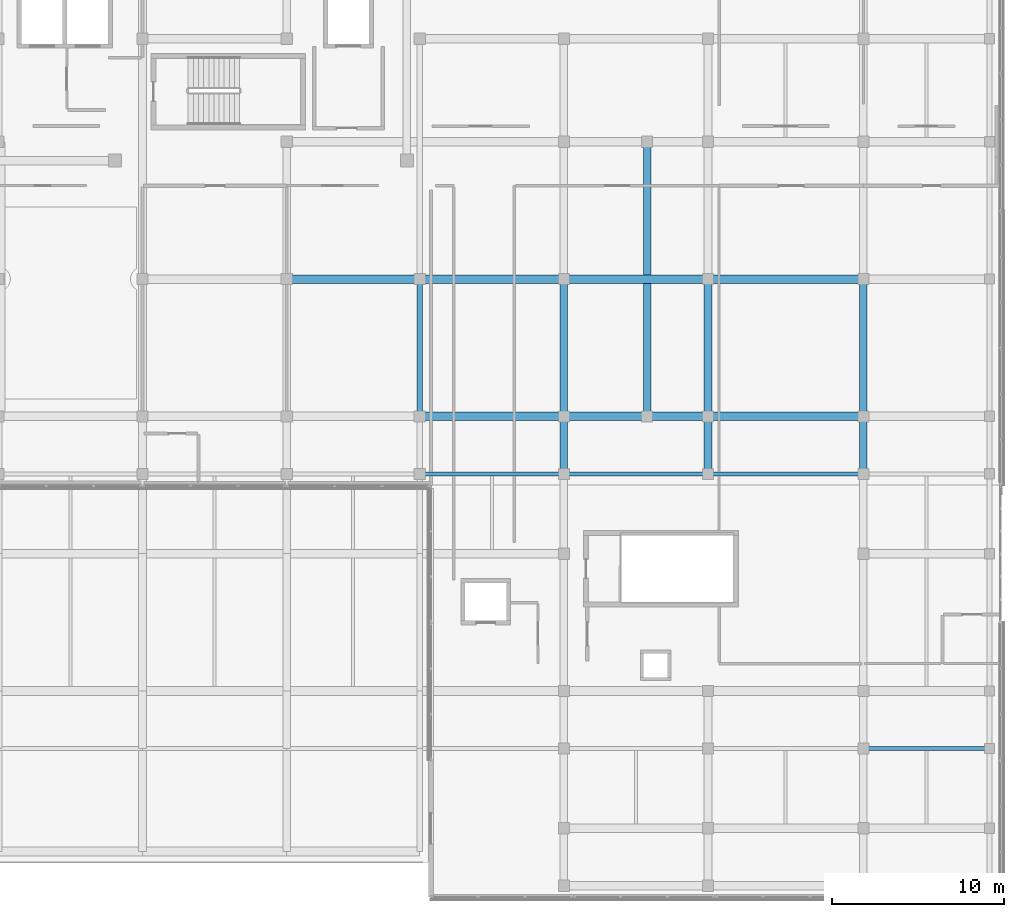
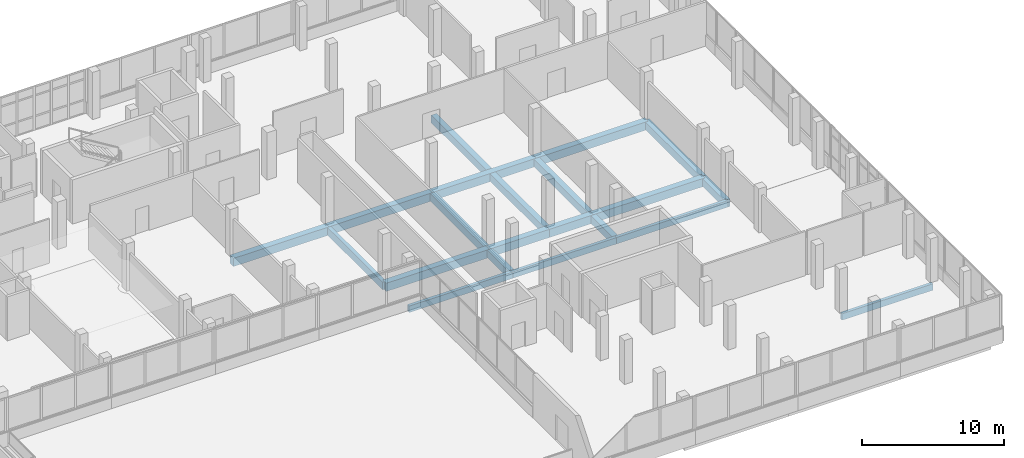
# One storey, part 48 of 78: 20 beams.
"""IFC4 building model written with IfcOpenShell, lengths in metres."""

from ifc_helpers import new_model, si_unit, direction, frame, origin, origin_2d, place, context, subcontext, project, spatial, rectangle, extrude, material, material_profile, profile_set, type_object, element, save


model = new_model("IFC4")

# Units and contexts
model_context = context("Model", 3, precision=1e-05, world=origin(), true_north=direction((0.0, 1.0)))
body_context = subcontext(model_context, "Body", "Model", "MODEL_VIEW")
ifc_project = project(units=[si_unit("LENGTHUNIT", "METRE"), si_unit("AREAUNIT", "SQUARE_METRE"), si_unit("VOLUMEUNIT", "CUBIC_METRE"), si_unit("PLANEANGLEUNIT", "RADIAN"), si_unit("MASSUNIT", "GRAM", prefix="KILO")], contexts=[model_context])

# Site, building, storey
site_placement = place(None, origin())
site = spatial("IfcSite", under=ifc_project, at=site_placement, CompositionType="ELEMENT")
building_placement = place(site_placement, origin())
building = spatial("IfcBuilding", under=site, at=building_placement, Name="Selatvlak General Hospital", CompositionType="ELEMENT")
storey_placement = place(building_placement, frame((0.0, 0.0, 23.25)))
storey = spatial("IfcBuildingStorey", under=building, at=storey_placement, Name="L05", CompositionType="ELEMENT", Elevation=23.25)

# Beams
ifc_material = material(Name="Concrete C40/50", Category="concrete")
ifc_material_profile_1 = material_profile(ifc_material, rectangle(XDim=0.5, YDim=0.699951171875, at=origin_2d()), Name="RC-BM 500x700")
ifc_profile_set_1 = profile_set([ifc_material_profile_1], Name="Concrete C40/50")
beam_type_1 = type_object("IfcBeamType", Name="BM-G03", PredefinedType="BEAM", material=ifc_profile_set_1)
beam_1_placement = place(storey_placement, frame((148.14990234375, 92.0, -0.6298828125), z_axis=(1.0, 0.0, 0.0), x_axis=(0.0, 1.0, 0.0)))
element("IfcBeam", 1, at=beam_1_placement, inside=storey, type_object=beam_type_1, Name="Beam BMR-L05-1917", PredefinedType="BEAM", context=body_context, shape_type="SweptSolid", body=[
    extrude(rectangle(XDim=0.5, YDim=0.699951171875, at=origin_2d()), origin(), (0.0, 0.0, 1.0), 8.400146484375),
])
beam_2_placement = place(storey_placement, frame((156.550048828125, 92.0, -0.6298828125), z_axis=(1.0, 0.0, 0.0), x_axis=(0.0, 1.0, 0.0)))
element("IfcBeam", 2, at=beam_2_placement, inside=storey, type_object=beam_type_1, Name="Beam BMR-L05-1918", PredefinedType="BEAM", context=body_context, shape_type="SweptSolid", body=[
    extrude(rectangle(XDim=0.5, YDim=0.699951171875, at=origin_2d()), origin(), (0.0, 0.0, 1.0), 4.849853515625),
])
beam_3_placement = place(storey_placement, frame((161.39990234375, 92.0, -0.6298828125), z_axis=(1.0, 0.0, 0.0), x_axis=(0.0, 1.0, 0.0)))
element("IfcBeam", 3, at=beam_3_placement, inside=storey, type_object=beam_type_1, Name="Beam BMR-L05-1919", PredefinedType="BEAM", context=body_context, shape_type="SweptSolid", body=[
    extrude(rectangle(XDim=0.5, YDim=0.699951171875, at=origin_2d()), origin(), (0.0, 0.0, 1.0), 3.550048828125),
])
beam_4_placement = place(storey_placement, frame((164.949951171875, 92.0, -0.6298828125), z_axis=(1.0, 0.0, 0.0), x_axis=(0.0, 1.0, 0.0)))
element("IfcBeam", 4, at=beam_4_placement, inside=storey, type_object=beam_type_1, Name="Beam BMR-L05-1920", PredefinedType="BEAM", context=body_context, shape_type="SweptSolid", body=[
    extrude(rectangle(XDim=0.5, YDim=0.699951171875, at=origin_2d()), origin(), (0.0, 0.0, 1.0), 9.050048828125),
])
beam_5_placement = place(storey_placement, frame((140.39990234375, 100.0, -0.6298828125), z_axis=(1.0, 0.0, 0.0), x_axis=(0.0, 1.0, 0.0)))
element("IfcBeam", 5, at=beam_5_placement, inside=storey, type_object=beam_type_1, Name="Beam BMR-L05-1936", PredefinedType="BEAM", context=body_context, shape_type="SweptSolid", body=[
    extrude(rectangle(XDim=0.5, YDim=0.699951171875, at=origin_2d()), origin(), (0.0, 0.0, 1.0), 7.75),
])
beam_6_placement = place(storey_placement, frame((148.14990234375, 100.0, -0.6298828125), z_axis=(1.0, 0.0, 0.0), x_axis=(0.0, 1.0, 0.0)))
element("IfcBeam", 6, at=beam_6_placement, inside=storey, type_object=beam_type_1, Name="Beam BMR-L05-1937", PredefinedType="BEAM", context=body_context, shape_type="SweptSolid", body=[
    extrude(rectangle(XDim=0.5, YDim=0.699951171875, at=origin_2d()), origin(), (0.0, 0.0, 1.0), 8.400146484375),
])
beam_7_placement = place(storey_placement, frame((156.550048828125, 100.0, -0.6298828125), z_axis=(1.0, 0.0, 0.0), x_axis=(0.0, 1.0, 0.0)))
element("IfcBeam", 7, at=beam_7_placement, inside=storey, type_object=beam_type_1, Name="Beam BMR-L05-1938", PredefinedType="BEAM", context=body_context, shape_type="SweptSolid", body=[
    extrude(rectangle(XDim=0.5, YDim=0.699951171875, at=origin_2d()), origin(), (0.0, 0.0, 1.0), 8.39990234375),
])
beam_8_placement = place(storey_placement, frame((164.949951171875, 100.0, -0.6298828125), z_axis=(1.0, 0.0, 0.0), x_axis=(0.0, 1.0, 0.0)))
element("IfcBeam", 8, at=beam_8_placement, inside=storey, type_object=beam_type_1, Name="Beam BMR-L05-1939", PredefinedType="BEAM", context=body_context, shape_type="SweptSolid", body=[
    extrude(rectangle(XDim=0.5, YDim=0.699951171875, at=origin_2d()), origin(), (0.0, 0.0, 1.0), 9.050048828125),
])
ifc_material_profile_2 = material_profile(ifc_material, rectangle(XDim=0.449951171875, YDim=0.64990234375, at=origin_2d()), Name="RC-BM 450x650")
ifc_profile_set_2 = profile_set([ifc_material_profile_2], Name="Concrete C40/50")
beam_type_2 = type_object("IfcBeamType", Name="BM-G04", PredefinedType="BEAM", material=ifc_profile_set_2)
beam_9_placement = place(storey_placement, frame((156.550048828125, 88.64990234375, -0.60498046875), z_axis=(0.0, 1.0, 0.0), x_axis=(-1.0, 0.0, 0.0)))
element("IfcBeam", 9, at=beam_9_placement, inside=storey, type_object=beam_type_2, Name="Beam BMR-L05-2083", PredefinedType="BEAM", context=body_context, shape_type="SweptSolid", body=[
    extrude(rectangle(XDim=0.449951171875, YDim=0.64990234375, at=origin_2d()), origin(), (0.0, 0.0, 1.0), 3.35009765625),
])
beam_10_placement = place(storey_placement, frame((156.550048828125, 92.0, -0.60498046875), z_axis=(0.0, 1.0, 0.0), x_axis=(-1.0, 0.0, 0.0)))
element("IfcBeam", 10, at=beam_10_placement, inside=storey, type_object=beam_type_2, Name="Beam BMR-L05-2084", PredefinedType="BEAM", context=body_context, shape_type="SweptSolid", body=[
    extrude(rectangle(XDim=0.449951171875, YDim=0.64990234375, at=origin_2d()), origin(), (0.0, 0.0, 1.0), 8.0),
])
beam_11_placement = place(storey_placement, frame((161.39990234375, 92.0, -0.60498046875), z_axis=(0.0, 1.0, 0.0), x_axis=(-1.0, 0.0, 0.0)))
element("IfcBeam", 11, at=beam_11_placement, inside=storey, type_object=beam_type_2, Name="Beam BMR-L05-2087", PredefinedType="BEAM", context=body_context, shape_type="SweptSolid", body=[
    extrude(rectangle(XDim=0.449951171875, YDim=0.64990234375, at=origin_2d()), origin(), (0.0, 0.0, 1.0), 16.0),
])
beam_12_placement = place(storey_placement, frame((164.949951171875, 88.64990234375, -0.60498046875), z_axis=(0.0, 1.0, 0.0), x_axis=(-1.0, 0.0, 0.0)))
element("IfcBeam", 12, at=beam_12_placement, inside=storey, type_object=beam_type_2, Name="Beam BMR-L05-2091", PredefinedType="BEAM", context=body_context, shape_type="SweptSolid", body=[
    extrude(rectangle(XDim=0.449951171875, YDim=0.64990234375, at=origin_2d()), origin(), (0.0, 0.0, 1.0), 3.35009765625),
])
beam_13_placement = place(storey_placement, frame((164.949951171875, 92.0, -0.60498046875), z_axis=(0.0, 1.0, 0.0), x_axis=(-1.0, 0.0, 0.0)))
element("IfcBeam", 13, at=beam_13_placement, inside=storey, type_object=beam_type_2, Name="Beam BMR-L05-2092", PredefinedType="BEAM", context=body_context, shape_type="SweptSolid", body=[
    extrude(rectangle(XDim=0.449951171875, YDim=0.64990234375, at=origin_2d()), origin(), (0.0, 0.0, 1.0), 8.0),
])
beam_14_placement = place(storey_placement, frame((174.0, 88.64990234375, -0.60498046875), z_axis=(0.0, 1.0, 0.0), x_axis=(-1.0, 0.0, 0.0)))
element("IfcBeam", 14, at=beam_14_placement, inside=storey, type_object=beam_type_2, Name="Beam BMR-L05-2100", PredefinedType="BEAM", context=body_context, shape_type="SweptSolid", body=[
    extrude(rectangle(XDim=0.449951171875, YDim=0.64990234375, at=origin_2d()), origin(), (0.0, 0.0, 1.0), 3.35009765625),
])
beam_15_placement = place(storey_placement, frame((174.0, 92.0, -0.60498046875), z_axis=(0.0, 1.0, 0.0), x_axis=(-1.0, 0.0, 0.0)))
element("IfcBeam", 15, at=beam_15_placement, inside=storey, type_object=beam_type_2, Name="Beam BMR-L05-2101", PredefinedType="BEAM", context=body_context, shape_type="SweptSolid", body=[
    extrude(rectangle(XDim=0.449951171875, YDim=0.64990234375, at=origin_2d()), origin(), (0.0, 0.0, 1.0), 8.0),
])
ifc_material_profile_3 = material_profile(ifc_material, rectangle(XDim=0.300048828125, YDim=0.64990234375, at=origin_2d()), Name="RC-SP 300x650")
ifc_profile_set_3 = profile_set([ifc_material_profile_3], Name="Concrete C40/50")
beam_type_3 = type_object("IfcBeamType", Name="BM-SP1", PredefinedType="SPANDREL", material=ifc_profile_set_3)
beam_16_placement = place(storey_placement, frame((148.14990234375, 92.0, -0.60498046875), z_axis=(0.0, 1.0, 0.0), x_axis=(-1.0, 0.0, 0.0)))
element("IfcBeam", 16, at=beam_16_placement, inside=storey, type_object=beam_type_3, Name="Beam BMR-L05-2076", PredefinedType="SPANDREL", context=body_context, shape_type="SweptSolid", body=[
    extrude(rectangle(XDim=0.300048828125, YDim=0.64990234375, at=origin_2d()), origin(), (0.0, 0.0, 1.0), 8.0),
])
ifc_material_profile_4 = material_profile(ifc_material, rectangle(XDim=0.25, YDim=0.550048828125, at=origin_2d()), Name="RC-SP 250x550")
ifc_profile_set_4 = profile_set([ifc_material_profile_4], Name="Concrete C40/50")
beam_type_4 = type_object("IfcBeamType", Name="BM-SP2", PredefinedType="SPANDREL", material=ifc_profile_set_4)
beam_17_placement = place(storey_placement, frame((174.0, 72.64990234375, -0.554931640625), z_axis=(1.0, 0.0, 0.0), x_axis=(0.0, 1.0, 0.0)))
element("IfcBeam", 17, at=beam_17_placement, inside=storey, type_object=beam_type_4, Name="Beam BMR-L05-1870", PredefinedType="SPANDREL", context=body_context, shape_type="SweptSolid", body=[
    extrude(rectangle(XDim=0.25, YDim=0.550048828125, at=origin_2d()), origin(), (0.0, 0.0, 1.0), 7.35009765625),
])
beam_18_placement = place(storey_placement, frame((148.14990234375, 88.64990234375, -0.554931640625), z_axis=(1.0, 0.0, 0.0), x_axis=(0.0, 1.0, 0.0)))
element("IfcBeam", 18, at=beam_18_placement, inside=storey, type_object=beam_type_4, Name="Beam BMR-L05-1897", PredefinedType="SPANDREL", context=body_context, shape_type="SweptSolid", body=[
    extrude(rectangle(XDim=0.25, YDim=0.550048828125, at=origin_2d()), origin(), (0.0, 0.0, 1.0), 8.400146484375),
])
beam_19_placement = place(storey_placement, frame((156.550048828125, 88.64990234375, -0.554931640625), z_axis=(1.0, 0.0, 0.0), x_axis=(0.0, 1.0, 0.0)))
element("IfcBeam", 19, at=beam_19_placement, inside=storey, type_object=beam_type_4, Name="Beam BMR-L05-1898", PredefinedType="SPANDREL", context=body_context, shape_type="SweptSolid", body=[
    extrude(rectangle(XDim=0.25, YDim=0.550048828125, at=origin_2d()), origin(), (0.0, 0.0, 1.0), 8.39990234375),
])
beam_20_placement = place(storey_placement, frame((164.949951171875, 88.64990234375, -0.554931640625), z_axis=(1.0, 0.0, 0.0), x_axis=(0.0, 1.0, 0.0)))
element("IfcBeam", 20, at=beam_20_placement, inside=storey, type_object=beam_type_4, Name="Beam BMR-L05-1899", PredefinedType="SPANDREL", context=body_context, shape_type="SweptSolid", body=[
    extrude(rectangle(XDim=0.25, YDim=0.550048828125, at=origin_2d()), origin(), (0.0, 0.0, 1.0), 9.050048828125),
])

save(model, "model.ifc")
